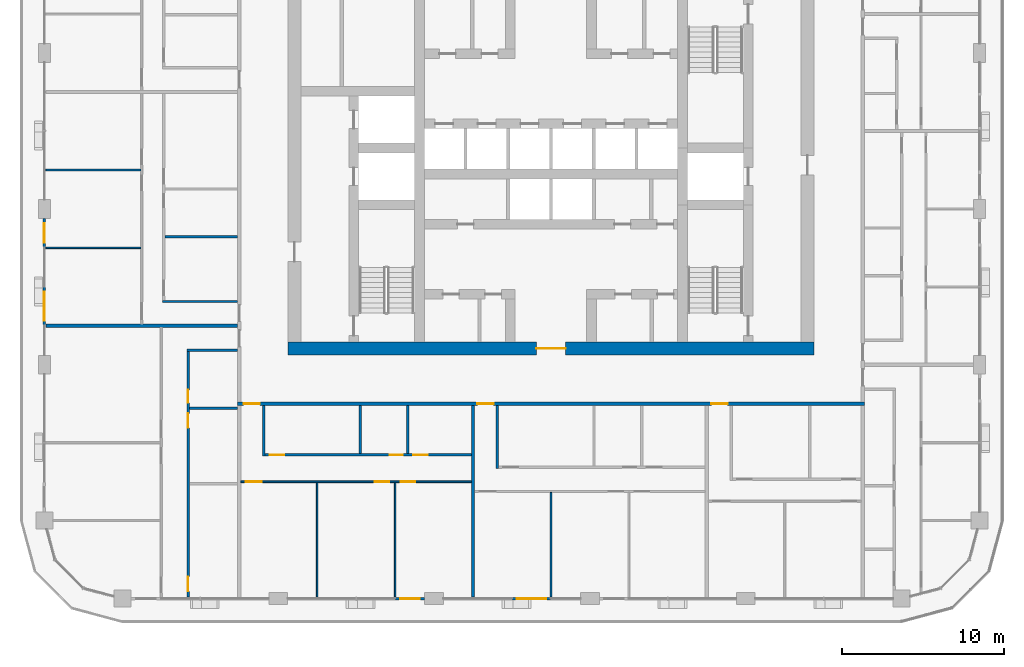
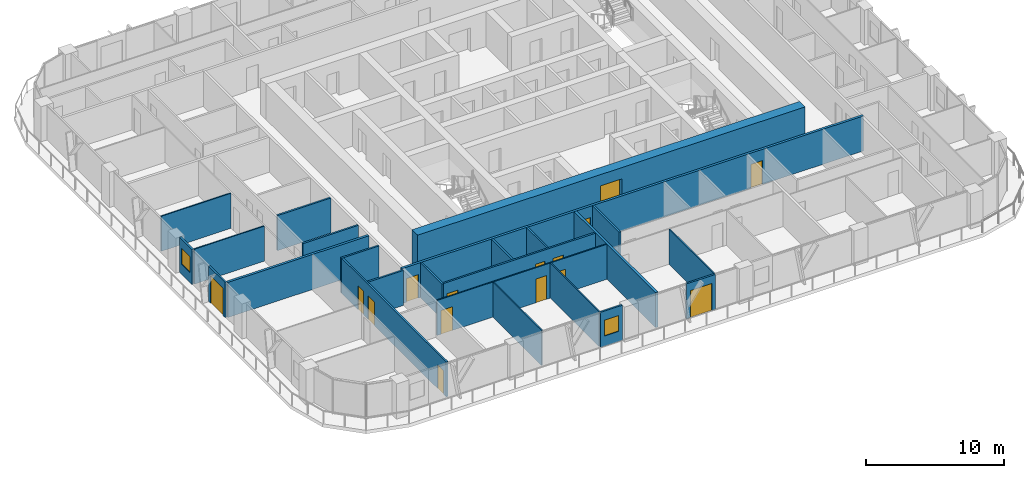
# One storey, part 9 of 22: 24 walls, 15 doors, 2 windows, 17 openings.
"""IFC4 building model written with IfcOpenShell, lengths in metres."""

from ifc_helpers import new_model, si_unit, direction, frame, frame_2d, origin, place, context, subcontext, project, spatial, rectangle, extrude, material, layer, layer_set, type_object, element, fill, save


model = new_model("IFC4")

# Units and contexts
model_context = context("Model", 3, precision=1e-05, world=origin(), true_north=direction((0.0, 1.0)))
body_context = subcontext(model_context, "Body", "Model", "MODEL_VIEW")
ifc_project = project(units=[si_unit("LENGTHUNIT", "METRE"), si_unit("AREAUNIT", "SQUARE_METRE"), si_unit("VOLUMEUNIT", "CUBIC_METRE"), si_unit("PLANEANGLEUNIT", "RADIAN"), si_unit("MASSUNIT", "GRAM", prefix="KILO")], contexts=[model_context])

# Site, building, storey
site_placement = place(None, origin())
site = spatial("IfcSite", under=ifc_project, at=site_placement, CompositionType="ELEMENT")
building_placement = place(site_placement, origin())
building = spatial("IfcBuilding", under=site, at=building_placement, Name="Madar Terraces", CompositionType="ELEMENT")
storey_placement = place(building_placement, frame((0.0, 0.0, 170.0)))
storey = spatial("IfcBuildingStorey", under=building, at=storey_placement, Name="L44", CompositionType="ELEMENT", Elevation=170.0)

# Wall, opening, door
ifc_material_1 = material(Name="Concrete C70/85", Category="concrete")
ifc_layer_1 = layer(ifc_material_1, 0.800048828125)
ifc_layer_set_1 = layer_set([ifc_layer_1], Name="Concrete C70/85 (CRW3 RC wall 800)")
wall_type_1 = type_object("IfcWallType", Name="CRW3 RC wall 800", PredefinedType="SHEAR", material=ifc_layer_set_1)
wall_1_placement = place(storey_placement, frame((15.0, 15.39990234375, 0.0), z_axis=(0.0, 0.0, 1.0), x_axis=(1.0, 0.0, 0.0)))
wall_1 = element("IfcWall", 1, at=wall_1_placement, inside=storey, type_object=wall_type_1, Name="CORE OUTER WALL", PredefinedType="SHEAR", context=body_context, shape_type="SweptSolid", body=[
    extrude(rectangle(XDim=32.39990234375, YDim=0.800048828125, at=frame_2d((16.199951171875, 0.0))), origin(), (0.0, 0.0, 1.0), 3.10009765625),
])
opening_1_placement = place(wall_1_placement, frame((15.300048828125, 0.0, 0.0)))
opening_1 = element("IfcOpeningElement", 2, at=opening_1_placement, cuts=wall_1, Name="Opening KD1", PredefinedType="OPENING", context=body_context, shape_type="SweptSolid", body=[
    extrude(rectangle(XDim=1.800048828125, YDim=2.10009765625, at=frame_2d((0.89990234375, 1.050048828125))), frame((0.0, 0.409912109375, 0.0), z_axis=(0.0, -1.0, 0.0), x_axis=(1.0, 0.0, 0.0)), (0.0, 0.0, 1.0), 0.820068359375),
])
ifc_material_2 = material(Name="Steel door leaf", Category="steel")
door_type_1 = type_object("IfcDoorType", Name="Lobby door pair 1800 x 2100", OperationType="DOUBLE_DOOR_SINGLE_SWING", PredefinedType="DOOR", material=ifc_material_2)
door_1_placement = place(opening_1_placement, frame((1.800048828125, 0.0, 0.0), z_axis=(0.0, 0.0, 1.0), x_axis=(-1.0, 0.0, 0.0)))
door_1 = element("IfcDoor", 3, at=door_1_placement, inside=storey, type_object=door_type_1, Name="LIFT LOBBY DOOR", OperationType="DOUBLE_DOOR_SINGLE_SWING", OverallHeight=2.10009765625, OverallWidth=1.800048828125, PredefinedType="DOOR", context=body_context, shape_type="SweptSolid", body=[
    extrude(rectangle(XDim=1.800048828125, YDim=2.10009765625, at=frame_2d((0.89990234375, 1.050048828125))), frame((0.0, 0.02490234375, 0.0), z_axis=(0.0, -1.0, 0.0), x_axis=(1.0, 0.0, 0.0)), (0.0, 0.0, 1.0), 0.050048828125),
])
fill(opening_1, door_1)

# Wall, opening, window
ifc_material_3 = material(Name="Aluminium composite panel, black, over insulated backing", Category="aluminium")
ifc_layer_2 = layer(ifc_material_3, 0.14990234375)
ifc_layer_set_2 = layer_set([ifc_layer_2], Name="Facade bay panel 150")
wall_type_2 = type_object("IfcWallType", Name="Facade bay panel 150", PredefinedType="SOLIDWALL", material=ifc_layer_set_2)
wall_2_placement = place(storey_placement, frame((21.60009765625, 0.0, 0.0), z_axis=(0.0, 0.0, 1.0), x_axis=(1.0, 0.0, 0.0)))
wall_2 = element("IfcWall", 4, at=wall_2_placement, inside=storey, type_object=wall_type_2, Name="Facade bay panel", PredefinedType="SOLIDWALL", context=body_context, shape_type="SweptSolid", body=[
    extrude(rectangle(XDim=1.824951171875, YDim=0.14990234375, at=frame_2d((0.91259765625, 0.0))), origin(), (0.0, 0.0, 1.0), 3.10009765625),
])
opening_2_placement = place(wall_2_placement, frame((0.3125, 0.0, 0.89990234375)))
opening_2 = element("IfcOpeningElement", 5, at=opening_2_placement, cuts=wall_2, Name="Opening W1", PredefinedType="OPENING", context=body_context, shape_type="SweptSolid", body=[
    extrude(rectangle(XDim=1.199951171875, YDim=1.39990234375, at=frame_2d((0.60009765625, 0.699951171875))), frame((0.0, 0.0849609375, 0.0), z_axis=(0.0, -1.0, 0.0), x_axis=(1.0, 0.0, 0.0)), (0.0, 0.0, 1.0), 0.169921875),
])
ifc_material_4 = material(Name="Glass, clear, with black aluminium frame", Category="aluminium")
window_type = type_object("IfcWindowType", Name="Vent window 1200 x 1400", PartitioningType="SINGLE_PANEL", PredefinedType="WINDOW", material=ifc_material_4)
window_1_placement = place(opening_2_placement, origin())
window_1 = element("IfcWindow", 6, at=window_1_placement, inside=storey, type_object=window_type, Name="Operable vent window", OverallHeight=1.39990234375, OverallWidth=1.199951171875, PartitioningType="SINGLE_PANEL", PredefinedType="WINDOW", context=body_context, shape_type="SweptSolid", body=[
    extrude(rectangle(XDim=1.199951171875, YDim=1.39990234375, at=frame_2d((0.60009765625, 0.699951171875))), frame((0.0, 0.030029296875, 0.0), z_axis=(0.0, -1.0, 0.0), x_axis=(1.0, 0.0, 0.0)), (0.0, 0.0, 1.0), 0.06005859375),
])
fill(opening_2, window_1)

# Wall, opening, door
wall_3_placement = place(storey_placement, frame((28.800048828125, 0.0, 0.0), z_axis=(0.0, 0.0, 1.0), x_axis=(1.0, 0.0, 0.0)))
wall_3 = element("IfcWall", 7, at=wall_3_placement, inside=storey, type_object=wall_type_2, Name="Facade bay panel", PredefinedType="SOLIDWALL", context=body_context, shape_type="SweptSolid", body=[
    extrude(rectangle(XDim=2.39990234375, YDim=0.14990234375, at=frame_2d((1.199951171875, 0.0))), origin(), (0.0, 0.0, 1.0), 3.10009765625),
])
opening_3_placement = place(wall_3_placement, frame((0.300048828125, 0.0, 0.0)))
opening_3 = element("IfcOpeningElement", 8, at=opening_3_placement, cuts=wall_3, Name="Opening ED1", PredefinedType="OPENING", context=body_context, shape_type="SweptSolid", body=[
    extrude(rectangle(XDim=1.800048828125, YDim=2.39990234375, at=frame_2d((0.89990234375, 1.199951171875))), frame((0.0, 0.0849609375, 0.0), z_axis=(0.0, -1.0, 0.0), x_axis=(1.0, 0.0, 0.0)), (0.0, 0.0, 1.0), 0.169921875),
])
ifc_material_5 = material(Name="Glass, clear, with black aluminium frame", Category="aluminium")
door_type_2 = type_object("IfcDoorType", Name="Balcony and terrace sliding door 1800 x 2400", OperationType="SLIDING_TO_LEFT", PredefinedType="DOOR", material=ifc_material_5)
door_2_placement = place(opening_3_placement, origin())
door_2 = element("IfcDoor", 9, at=door_2_placement, inside=storey, type_object=door_type_2, Name="Balcony door", OperationType="SLIDING_TO_LEFT", OverallHeight=2.39990234375, OverallWidth=1.800048828125, PredefinedType="DOOR", context=body_context, shape_type="SweptSolid", body=[
    extrude(rectangle(XDim=1.800048828125, YDim=2.39990234375, at=frame_2d((0.89990234375, 1.199951171875))), frame((0.0, 0.02490234375, 0.0), z_axis=(0.0, -1.0, 0.0), x_axis=(1.0, 0.0, 0.0)), (0.0, 0.0, 1.0), 0.050048828125),
])
fill(opening_3, door_2)

# Wall, opening, window
wall_4_placement = place(storey_placement, frame((0.0, 23.425048828125, 0.0), z_axis=(0.0, 0.0, 1.0), x_axis=(0.0, -1.0, 0.0)))
wall_4 = element("IfcWall", 10, at=wall_4_placement, inside=storey, type_object=wall_type_2, Name="Facade bay panel", PredefinedType="SOLIDWALL", context=body_context, shape_type="SweptSolid", body=[
    extrude(rectangle(XDim=1.824951171875, YDim=0.14990234375, at=frame_2d((0.91259765625, 0.0))), origin(), (0.0, 0.0, 1.0), 3.10009765625),
])
opening_4_placement = place(wall_4_placement, frame((0.3125, 0.0, 0.89990234375)))
opening_4 = element("IfcOpeningElement", 11, at=opening_4_placement, cuts=wall_4, Name="Opening W1", PredefinedType="OPENING", context=body_context, shape_type="SweptSolid", body=[
    extrude(rectangle(XDim=1.199951171875, YDim=1.39990234375, at=frame_2d((0.60009765625, 0.699951171875))), frame((0.0, 0.0849609375, 0.0), z_axis=(0.0, -1.0, 0.0), x_axis=(1.0, 0.0, 0.0)), (0.0, 0.0, 1.0), 0.169921875),
])
window_2_placement = place(opening_4_placement, origin())
window_2 = element("IfcWindow", 12, at=window_2_placement, inside=storey, type_object=window_type, Name="Operable vent window", OverallHeight=1.39990234375, OverallWidth=1.199951171875, PartitioningType="SINGLE_PANEL", PredefinedType="WINDOW", context=body_context, shape_type="SweptSolid", body=[
    extrude(rectangle(XDim=1.199951171875, YDim=1.39990234375, at=frame_2d((0.60009765625, 0.699951171875))), frame((0.0, 0.030029296875, 0.0), z_axis=(0.0, -1.0, 0.0), x_axis=(1.0, 0.0, 0.0)), (0.0, 0.0, 1.0), 0.06005859375),
])
fill(opening_4, window_2)

# Wall, opening, door
wall_5_placement = place(storey_placement, frame((0.0, 19.199951171875, 0.0), z_axis=(0.0, 0.0, 1.0), x_axis=(0.0, -1.0, 0.0)))
wall_5 = element("IfcWall", 13, at=wall_5_placement, inside=storey, type_object=wall_type_2, Name="Facade bay panel", PredefinedType="SOLIDWALL", context=body_context, shape_type="SweptSolid", body=[
    extrude(rectangle(XDim=2.39990234375, YDim=0.14990234375, at=frame_2d((1.199951171875, 0.0))), origin(), (0.0, 0.0, 1.0), 3.10009765625),
])
opening_5_placement = place(wall_5_placement, frame((0.300048828125, 0.0, 0.0)))
opening_5 = element("IfcOpeningElement", 14, at=opening_5_placement, cuts=wall_5, Name="Opening ED1", PredefinedType="OPENING", context=body_context, shape_type="SweptSolid", body=[
    extrude(rectangle(XDim=1.800048828125, YDim=2.39990234375, at=frame_2d((0.89990234375, 1.199951171875))), frame((0.0, 0.0849609375, 0.0), z_axis=(0.0, -1.0, 0.0), x_axis=(1.0, 0.0, 0.0)), (0.0, 0.0, 1.0), 0.169921875),
])
door_3_placement = place(opening_5_placement, origin())
door_3 = element("IfcDoor", 15, at=door_3_placement, inside=storey, type_object=door_type_2, Name="Balcony door", OperationType="SLIDING_TO_LEFT", OverallHeight=2.39990234375, OverallWidth=1.800048828125, PredefinedType="DOOR", context=body_context, shape_type="SweptSolid", body=[
    extrude(rectangle(XDim=1.800048828125, YDim=2.39990234375, at=frame_2d((0.89990234375, 1.199951171875))), frame((0.0, 0.02490234375, 0.0), z_axis=(0.0, -1.0, 0.0), x_axis=(1.0, 0.0, 0.0)), (0.0, 0.0, 1.0), 0.050048828125),
])
fill(opening_5, door_3)

# Walls
ifc_material_6 = material(Name="Gypsum board on steel studs", Category="steel")
ifc_layer_3 = layer(ifc_material_6, 0.10009765625)
ifc_layer_set_3 = layer_set([ifc_layer_3], Name="Flat partition 100")
wall_type_3 = type_object("IfcWallType", Name="Flat partition 100", PredefinedType="PARTITIONING", material=ifc_layer_set_3)
for number, where, z_axis, x_axis, name in (
    (16, (16.800048828125, 7.14990234375, 0.0), (0.0, 0.0, 1.0), (0.0, -1.0, 0.0), "Flat partition 100"),
    (17, (21.60009765625, 7.14990234375, 0.0), (0.0, 0.0, 1.0), (0.0, -1.0, 0.0), "Flat partition 100"),
):
    element("IfcWall", number, at=place(storey_placement, frame(where, z_axis=z_axis, x_axis=x_axis)), inside=storey, type_object=wall_type_3, Name=name, PredefinedType="PARTITIONING", context=body_context, shape_type="SweptSolid", body=[
        extrude(rectangle(XDim=7.0498046875, YDim=0.10009765625, at=frame_2d((3.52490234375, 0.0))), origin(), (0.0, 0.0, 1.0), 3.10009765625),
    ])

# Wall, openings, doors
wall_6_placement = place(storey_placement, frame((26.300048828125, 7.199951171875, 0.0), z_axis=(0.0, 0.0, 1.0), x_axis=(-1.0, 0.0, 0.0)))
wall_6 = element("IfcWall", 18, at=wall_6_placement, inside=storey, type_object=wall_type_3, Name="Flat partition 100", PredefinedType="PARTITIONING", context=body_context, shape_type="SweptSolid", body=[
    extrude(rectangle(XDim=14.199951171875, YDim=0.10009765625, at=frame_2d((7.10009765625, 0.0))), origin(), (0.0, 0.0, 1.0), 3.10009765625),
])
opening_6_placement = place(wall_6_placement, frame((12.89990234375, 0.0, 0.0)))
opening_6 = element("IfcOpeningElement", 19, at=opening_6_placement, cuts=wall_6, Name="Opening D3", PredefinedType="OPENING", context=body_context, shape_type="SweptSolid", body=[
    extrude(rectangle(XDim=1.0, YDim=2.10009765625, at=frame_2d((0.5, 1.050048828125))), frame((0.0, 0.06005859375, 0.0), z_axis=(0.0, -1.0, 0.0), x_axis=(1.0, 0.0, 0.0)), (0.0, 0.0, 1.0), 0.1201171875),
])
opening_7_placement = place(wall_6_placement, frame((5.050048828125, 0.0, 0.0)))
opening_7 = element("IfcOpeningElement", 20, at=opening_7_placement, cuts=wall_6, Name="Opening D2", PredefinedType="OPENING", context=body_context, shape_type="SweptSolid", body=[
    extrude(rectangle(XDim=0.89990234375, YDim=2.10009765625, at=frame_2d((0.449951171875, 1.050048828125))), frame((0.0, 0.06005859375, 0.0), z_axis=(0.0, -1.0, 0.0), x_axis=(1.0, 0.0, 0.0)), (0.0, 0.0, 1.0), 0.1201171875),
])
opening_8_placement = place(wall_6_placement, frame((3.449951171875, 0.0, 0.0)))
opening_8 = element("IfcOpeningElement", 21, at=opening_8_placement, cuts=wall_6, Name="Opening D2", PredefinedType="OPENING", context=body_context, shape_type="SweptSolid", body=[
    extrude(rectangle(XDim=0.89990234375, YDim=2.10009765625, at=frame_2d((0.449951171875, 1.050048828125))), frame((0.0, 0.06005859375, 0.0), z_axis=(0.0, -1.0, 0.0), x_axis=(1.0, 0.0, 0.0)), (0.0, 0.0, 1.0), 0.1201171875),
])
ifc_material_7 = material(Name="Timber door leaf", Category="wood")
door_type_3 = type_object("IfcDoorType", Name="Flat living room door 1000", OperationType="NOTDEFINED", PredefinedType="DOOR", material=ifc_material_7)
door_4_placement = place(opening_6_placement, origin())
door_4 = element("IfcDoor", 22, at=door_4_placement, inside=storey, type_object=door_type_3, Name="Flat living room door 1000", OperationType="SINGLE_SWING_RIGHT", OverallHeight=2.10009765625, OverallWidth=1.0, PredefinedType="DOOR", context=body_context, shape_type="SweptSolid", body=[
    extrude(rectangle(XDim=1.0, YDim=2.10009765625, at=frame_2d((0.5, 1.050048828125))), frame((0.0, 0.02490234375, 0.0), z_axis=(0.0, -1.0, 0.0), x_axis=(1.0, 0.0, 0.0)), (0.0, 0.0, 1.0), 0.050048828125),
])
fill(opening_6, door_4)
ifc_material_8 = material(Name="Timber door leaf", Category="wood")
door_type_4 = type_object("IfcDoorType", Name="Flat room door 900", OperationType="NOTDEFINED", PredefinedType="DOOR", material=ifc_material_8)
door_5_placement = place(opening_7_placement, origin())
door_5 = element("IfcDoor", 23, at=door_5_placement, inside=storey, type_object=door_type_4, Name="Flat room door 900", OperationType="SINGLE_SWING_LEFT", OverallHeight=2.10009765625, OverallWidth=0.89990234375, PredefinedType="DOOR", context=body_context, shape_type="SweptSolid", body=[
    extrude(rectangle(XDim=0.89990234375, YDim=2.10009765625, at=frame_2d((0.449951171875, 1.050048828125))), frame((0.0, 0.02490234375, 0.0), z_axis=(0.0, -1.0, 0.0), x_axis=(1.0, 0.0, 0.0)), (0.0, 0.0, 1.0), 0.050048828125),
])
fill(opening_7, door_5)
door_6_placement = place(opening_8_placement, origin())
door_6 = element("IfcDoor", 24, at=door_6_placement, inside=storey, type_object=door_type_4, Name="Flat room door 900", OperationType="SINGLE_SWING_RIGHT", OverallHeight=2.10009765625, OverallWidth=0.89990234375, PredefinedType="DOOR", context=body_context, shape_type="SweptSolid", body=[
    extrude(rectangle(XDim=0.89990234375, YDim=2.10009765625, at=frame_2d((0.449951171875, 1.050048828125))), frame((0.0, 0.02490234375, 0.0), z_axis=(0.0, -1.0, 0.0), x_axis=(1.0, 0.0, 0.0)), (0.0, 0.0, 1.0), 0.050048828125),
])
fill(opening_8, door_6)

# Walls
wall_7_placement = place(storey_placement, frame((31.199951171875, 6.550048828125, 0.0), z_axis=(0.0, 0.0, 1.0), x_axis=(0.0, -1.0, 0.0)))
element("IfcWall", 25, at=wall_7_placement, inside=storey, type_object=wall_type_3, Name="Flat partition 100", PredefinedType="PARTITIONING", context=body_context, shape_type="SweptSolid", body=[
    extrude(rectangle(XDim=6.449951171875, YDim=0.10009765625, at=frame_2d((3.22509765625, 0.0))), origin(), (0.0, 0.0, 1.0), 3.10009765625),
])
for number, where, z_axis, x_axis, name in (
    (26, (5.949951171875, 21.60009765625, 0.0), (0.0, 0.0, 1.0), (-1.0, 0.0, 0.0), "Flat partition 100"),
    (27, (5.949951171875, 26.39990234375, 0.0), (0.0, 0.0, 1.0), (-1.0, 0.0, 0.0), "Flat partition 100"),
):
    element("IfcWall", number, at=place(storey_placement, frame(where, z_axis=z_axis, x_axis=x_axis)), inside=storey, type_object=wall_type_3, Name=name, PredefinedType="PARTITIONING", context=body_context, shape_type="SweptSolid", body=[
        extrude(rectangle(XDim=5.849853515625, YDim=0.10009765625, at=frame_2d((2.9248046875, 0.0))), origin(), (0.0, 0.0, 1.0), 3.10009765625),
    ])

# Wall, openings, doors
ifc_material_9 = material(Name="Lightweight blockwork", Category="masonry")
ifc_layer_4 = layer(ifc_material_9, 0.199951171875)
ifc_layer_set_4 = layer_set([ifc_layer_4], Name="Flat party and entrance wall 200")
wall_type_4 = type_object("IfcWallType", Name="Flat party and entrance wall 200", PredefinedType="PARTITIONING", material=ifc_layer_set_4)
wall_8_placement = place(storey_placement, frame((50.5, 12.0, 0.0), z_axis=(0.0, 0.0, 1.0), x_axis=(-1.0, 0.0, 0.0)))
wall_8 = element("IfcWall", 28, at=wall_8_placement, inside=storey, type_object=wall_type_4, Name="Flat party and entrance wall 200", PredefinedType="PARTITIONING", context=body_context, shape_type="SweptSolid", body=[
    extrude(rectangle(XDim=38.60009765625, YDim=0.199951171875, at=frame_2d((19.300048828125, 0.0))), origin(), (0.0, 0.0, 1.0), 3.10009765625),
])
opening_9_placement = place(wall_8_placement, frame((37.22509765625, 0.0, 0.0)))
opening_9 = element("IfcOpeningElement", 29, at=opening_9_placement, cuts=wall_8, Name="Opening D1", PredefinedType="OPENING", context=body_context, shape_type="SweptSolid", body=[
    extrude(rectangle(XDim=1.0, YDim=2.10009765625, at=frame_2d((0.5, 1.050048828125))), frame((0.0, 0.10986328125, 0.0), z_axis=(0.0, -1.0, 0.0), x_axis=(1.0, 0.0, 0.0)), (0.0, 0.0, 1.0), 0.219970703125),
])
opening_10_placement = place(wall_8_placement, frame((22.824951171875, 0.0, 0.0)))
opening_10 = element("IfcOpeningElement", 30, at=opening_10_placement, cuts=wall_8, Name="Opening D1", PredefinedType="OPENING", context=body_context, shape_type="SweptSolid", body=[
    extrude(rectangle(XDim=1.0, YDim=2.10009765625, at=frame_2d((0.5, 1.050048828125))), frame((0.0, 0.10986328125, 0.0), z_axis=(0.0, -1.0, 0.0), x_axis=(1.0, 0.0, 0.0)), (0.0, 0.0, 1.0), 0.219970703125),
])
opening_11_placement = place(wall_8_placement, frame((8.425048828125, 0.0, 0.0)))
opening_11 = element("IfcOpeningElement", 31, at=opening_11_placement, cuts=wall_8, Name="Opening D1", PredefinedType="OPENING", context=body_context, shape_type="SweptSolid", body=[
    extrude(rectangle(XDim=1.0, YDim=2.10009765625, at=frame_2d((0.5, 1.050048828125))), frame((0.0, 0.10986328125, 0.0), z_axis=(0.0, -1.0, 0.0), x_axis=(1.0, 0.0, 0.0)), (0.0, 0.0, 1.0), 0.219970703125),
])
ifc_material_10 = material(Name="Timber fire door leaf", Category="wood")
door_type_5 = type_object("IfcDoorType", Name="Flat entrance door 1000 FD30S", OperationType="NOTDEFINED", PredefinedType="DOOR", material=ifc_material_10)
door_7_placement = place(opening_9_placement, origin())
door_7 = element("IfcDoor", 32, at=door_7_placement, inside=storey, type_object=door_type_5, Name="Flat entrance door 1000 FD30S", OperationType="SINGLE_SWING_RIGHT", OverallHeight=2.10009765625, OverallWidth=1.0, PredefinedType="DOOR", context=body_context, shape_type="SweptSolid", body=[
    extrude(rectangle(XDim=1.0, YDim=2.10009765625, at=frame_2d((0.5, 1.050048828125))), frame((0.0, 0.02490234375, 0.0), z_axis=(0.0, -1.0, 0.0), x_axis=(1.0, 0.0, 0.0)), (0.0, 0.0, 1.0), 0.050048828125),
])
fill(opening_9, door_7)
door_8_placement = place(opening_10_placement, origin())
door_8 = element("IfcDoor", 33, at=door_8_placement, inside=storey, type_object=door_type_5, Name="Flat entrance door 1000 FD30S", OperationType="SINGLE_SWING_RIGHT", OverallHeight=2.10009765625, OverallWidth=1.0, PredefinedType="DOOR", context=body_context, shape_type="SweptSolid", body=[
    extrude(rectangle(XDim=1.0, YDim=2.10009765625, at=frame_2d((0.5, 1.050048828125))), frame((0.0, 0.02490234375, 0.0), z_axis=(0.0, -1.0, 0.0), x_axis=(1.0, 0.0, 0.0)), (0.0, 0.0, 1.0), 0.050048828125),
])
fill(opening_10, door_8)
door_9_placement = place(opening_11_placement, origin())
door_9 = element("IfcDoor", 34, at=door_9_placement, inside=storey, type_object=door_type_5, Name="Flat entrance door 1000 FD30S", OperationType="SINGLE_SWING_RIGHT", OverallHeight=2.10009765625, OverallWidth=1.0, PredefinedType="DOOR", context=body_context, shape_type="SweptSolid", body=[
    extrude(rectangle(XDim=1.0, YDim=2.10009765625, at=frame_2d((0.5, 1.050048828125))), frame((0.0, 0.02490234375, 0.0), z_axis=(0.0, -1.0, 0.0), x_axis=(1.0, 0.0, 0.0)), (0.0, 0.0, 1.0), 0.050048828125),
])
fill(opening_11, door_9)

# Walls
for number, where, z_axis, x_axis, name in (
    (35, (26.39990234375, 11.89990234375, 0.0), (0.0, 0.0, 1.0), (0.0, -1.0, 0.0), "Flat party and entrance wall 200"),
    (36, (0.10009765625, 16.800048828125, 0.0), (0.0, 0.0, 1.0), (1.0, 0.0, 0.0), "Flat party and entrance wall 200"),
):
    element("IfcWall", number, at=place(storey_placement, frame(where, z_axis=z_axis, x_axis=x_axis)), inside=storey, type_object=wall_type_4, Name=name, PredefinedType="PARTITIONING", context=body_context, shape_type="SweptSolid", body=[
        extrude(rectangle(XDim=11.7998046875, YDim=0.199951171875, at=frame_2d((5.89990234375, 0.0))), origin(), (0.0, 0.0, 1.0), 3.10009765625),
    ])
ifc_material_11 = material(Name="Lightweight blockwork", Category="masonry")
ifc_layer_5 = layer(ifc_material_11, 0.14990234375)
ifc_layer_set_5 = layer_set([ifc_layer_5], Name="Flat wet-room partition 150")
wall_type_5 = type_object("IfcWallType", Name="Flat wet-room partition 150", PredefinedType="PARTITIONING", material=ifc_layer_set_5)
for number, where, z_axis, x_axis, name in (
    (37, (19.447998046875, 11.89990234375, 0.0), (0.0, 0.0, 1.0), (0.0, -1.0, 0.0), "Flat wet-room partition 150"),
    (38, (22.384521484375, 11.89990234375, 0.0), (0.0, 0.0, 1.0), (0.0, -1.0, 0.0), "Flat wet-room partition 150"),
):
    element("IfcWall", number, at=place(storey_placement, frame(where, z_axis=z_axis, x_axis=x_axis)), inside=storey, type_object=wall_type_5, Name=name, PredefinedType="PARTITIONING", context=body_context, shape_type="SweptSolid", body=[
        extrude(rectangle(XDim=2.974853515625, YDim=0.14990234375, at=frame_2d((1.4873046875, 0.0))), origin(), (0.0, 0.0, 1.0), 3.10009765625),
    ])
wall_9_placement = place(storey_placement, frame((13.5, 11.89990234375, 0.0), z_axis=(0.0, 0.0, 1.0), x_axis=(0.0, -1.0, 0.0)))
element("IfcWall", 39, at=wall_9_placement, inside=storey, type_object=wall_type_5, Name="Flat wet-room partition 150", PredefinedType="PARTITIONING", context=body_context, shape_type="SweptSolid", body=[
    extrude(rectangle(XDim=3.125, YDim=0.14990234375, at=frame_2d((1.5625, 0.0))), origin(), (0.0, 0.0, 1.0), 3.10009765625),
])

# Wall, openings, doors
wall_10_placement = place(storey_placement, frame((13.574951171875, 8.85009765625, 0.0), z_axis=(0.0, 0.0, 1.0), x_axis=(1.0, 0.0, 0.0)))
wall_10 = element("IfcWall", 40, at=wall_10_placement, inside=storey, type_object=wall_type_5, Name="Flat wet-room partition 150", PredefinedType="PARTITIONING", context=body_context, shape_type="SweptSolid", body=[
    extrude(rectangle(XDim=12.72509765625, YDim=0.14990234375, at=frame_2d((6.362548828125, 0.0))), origin(), (0.0, 0.0, 1.0), 3.10009765625),
])
opening_12_placement = place(wall_10_placement, frame((0.300048828125, 0.0, 0.0)))
opening_12 = element("IfcOpeningElement", 41, at=opening_12_placement, cuts=wall_10, Name="Opening D2", PredefinedType="OPENING", context=body_context, shape_type="SweptSolid", body=[
    extrude(rectangle(XDim=0.89990234375, YDim=2.10009765625, at=frame_2d((0.449951171875, 1.050048828125))), frame((0.0, 0.0849609375, 0.0), z_axis=(0.0, -1.0, 0.0), x_axis=(1.0, 0.0, 0.0)), (0.0, 0.0, 1.0), 0.169921875),
])
opening_13_placement = place(wall_10_placement, frame((7.6845703125, 0.0, 0.0)))
opening_13 = element("IfcOpeningElement", 42, at=opening_13_placement, cuts=wall_10, Name="Opening D4", PredefinedType="OPENING", context=body_context, shape_type="SweptSolid", body=[
    extrude(rectangle(XDim=0.800048828125, YDim=2.10009765625, at=frame_2d((0.39990234375, 1.050048828125))), frame((0.0, 0.0849609375, 0.0), z_axis=(0.0, -1.0, 0.0), x_axis=(1.0, 0.0, 0.0)), (0.0, 0.0, 1.0), 0.169921875),
])
opening_14_placement = place(wall_10_placement, frame((9.134521484375, 0.0, 0.0)))
opening_14 = element("IfcOpeningElement", 43, at=opening_14_placement, cuts=wall_10, Name="Opening D5", PredefinedType="OPENING", context=body_context, shape_type="SweptSolid", body=[
    extrude(rectangle(XDim=0.89990234375, YDim=2.10009765625, at=frame_2d((0.449951171875, 1.050048828125))), frame((0.0, 0.0849609375, 0.0), z_axis=(0.0, -1.0, 0.0), x_axis=(1.0, 0.0, 0.0)), (0.0, 0.0, 1.0), 0.169921875),
])
ifc_material_12 = material(Name="Timber door leaf", Category="wood")
door_type_6 = type_object("IfcDoorType", Name="Flat accessible bathroom door 900", OperationType="NOTDEFINED", PredefinedType="DOOR", material=ifc_material_12)
door_10_placement = place(opening_14_placement, origin())
door_10 = element("IfcDoor", 44, at=door_10_placement, inside=storey, type_object=door_type_6, Name="Flat accessible bathroom door 900", OperationType="SINGLE_SWING_LEFT", OverallHeight=2.10009765625, OverallWidth=0.89990234375, PredefinedType="DOOR", context=body_context, shape_type="SweptSolid", body=[
    extrude(rectangle(XDim=0.89990234375, YDim=2.10009765625, at=frame_2d((0.449951171875, 1.050048828125))), frame((0.0, 0.02490234375, 0.0), z_axis=(0.0, -1.0, 0.0), x_axis=(1.0, 0.0, 0.0)), (0.0, 0.0, 1.0), 0.050048828125),
])
fill(opening_14, door_10)
ifc_material_13 = material(Name="Timber door leaf", Category="wood")
door_type_7 = type_object("IfcDoorType", Name="Flat bathroom door 800", OperationType="NOTDEFINED", PredefinedType="DOOR", material=ifc_material_13)
door_11_placement = place(opening_13_placement, origin())
door_11 = element("IfcDoor", 45, at=door_11_placement, inside=storey, type_object=door_type_7, Name="Flat bathroom door 800", OperationType="SINGLE_SWING_RIGHT", OverallHeight=2.10009765625, OverallWidth=0.800048828125, PredefinedType="DOOR", context=body_context, shape_type="SweptSolid", body=[
    extrude(rectangle(XDim=0.800048828125, YDim=2.10009765625, at=frame_2d((0.39990234375, 1.050048828125))), frame((0.0, 0.02490234375, 0.0), z_axis=(0.0, -1.0, 0.0), x_axis=(1.0, 0.0, 0.0)), (0.0, 0.0, 1.0), 0.050048828125),
])
fill(opening_13, door_11)
door_12_placement = place(opening_12_placement, origin())
door_12 = element("IfcDoor", 46, at=door_12_placement, inside=storey, type_object=door_type_4, Name="Flat room door 900", OperationType="SINGLE_SWING_LEFT", OverallHeight=2.10009765625, OverallWidth=0.89990234375, PredefinedType="DOOR", context=body_context, shape_type="SweptSolid", body=[
    extrude(rectangle(XDim=0.89990234375, YDim=2.10009765625, at=frame_2d((0.449951171875, 1.050048828125))), frame((0.0, 0.02490234375, 0.0), z_axis=(0.0, -1.0, 0.0), x_axis=(1.0, 0.0, 0.0)), (0.0, 0.0, 1.0), 0.050048828125),
])
fill(opening_12, door_12)

# Walls
wall_11_placement = place(storey_placement, frame((27.89990234375, 11.89990234375, 0.0), z_axis=(0.0, 0.0, 1.0), x_axis=(0.0, -1.0, 0.0)))
element("IfcWall", 47, at=wall_11_placement, inside=storey, type_object=wall_type_5, Name="Flat wet-room partition 150", PredefinedType="PARTITIONING", context=body_context, shape_type="SweptSolid", body=[
    extrude(rectangle(XDim=3.875, YDim=0.14990234375, at=frame_2d((1.9375, 0.0))), origin(), (0.0, 0.0, 1.0), 3.10009765625),
])
wall_12_placement = place(storey_placement, frame((11.89990234375, 22.290283203125, 0.0), z_axis=(0.0, 0.0, 1.0), x_axis=(-1.0, 0.0, 0.0)))
element("IfcWall", 48, at=wall_12_placement, inside=storey, type_object=wall_type_5, Name="Flat wet-room partition 150", PredefinedType="PARTITIONING", context=body_context, shape_type="SweptSolid", body=[
    extrude(rectangle(XDim=4.474853515625, YDim=0.14990234375, at=frame_2d((2.2373046875, 0.0))), origin(), (0.0, 0.0, 1.0), 3.10009765625),
])
wall_13_placement = place(storey_placement, frame((11.89990234375, 18.300048828125, 0.0), z_axis=(0.0, 0.0, 1.0), x_axis=(-1.0, 0.0, 0.0)))
element("IfcWall", 49, at=wall_13_placement, inside=storey, type_object=wall_type_5, Name="Flat wet-room partition 150", PredefinedType="PARTITIONING", context=body_context, shape_type="SweptSolid", body=[
    extrude(rectangle(XDim=4.625, YDim=0.14990234375, at=frame_2d((2.3125, 0.0))), origin(), (0.0, 0.0, 1.0), 3.10009765625),
])
wall_14_placement = place(storey_placement, frame((11.89990234375, 11.734619140625, 0.0), z_axis=(0.0, 0.0, 1.0), x_axis=(-1.0, 0.0, 0.0)))
element("IfcWall", 50, at=wall_14_placement, inside=storey, type_object=wall_type_5, Name="Flat wet-room partition 150", PredefinedType="PARTITIONING", context=body_context, shape_type="SweptSolid", body=[
    extrude(rectangle(XDim=2.974853515625, YDim=0.14990234375, at=frame_2d((1.4873046875, 0.0))), origin(), (0.0, 0.0, 1.0), 3.10009765625),
])
wall_15_placement = place(storey_placement, frame((11.89990234375, 15.300048828125, 0.0), z_axis=(0.0, 0.0, 1.0), x_axis=(-1.0, 0.0, 0.0)))
element("IfcWall", 51, at=wall_15_placement, inside=storey, type_object=wall_type_5, Name="Flat wet-room partition 150", PredefinedType="PARTITIONING", context=body_context, shape_type="SweptSolid", body=[
    extrude(rectangle(XDim=3.125, YDim=0.14990234375, at=frame_2d((1.5625, 0.0))), origin(), (0.0, 0.0, 1.0), 3.10009765625),
])

# Wall, openings, doors
wall_16_placement = place(storey_placement, frame((8.85009765625, 15.22509765625, 0.0), z_axis=(0.0, 0.0, 1.0), x_axis=(0.0, -1.0, 0.0)))
wall_16 = element("IfcWall", 52, at=wall_16_placement, inside=storey, type_object=wall_type_5, Name="Flat wet-room partition 150", PredefinedType="PARTITIONING", context=body_context, shape_type="SweptSolid", body=[
    extrude(rectangle(XDim=15.125, YDim=0.14990234375, at=frame_2d((7.5625, 0.0))), origin(), (0.0, 0.0, 1.0), 3.10009765625),
])
opening_15_placement = place(wall_16_placement, frame((2.365478515625, 0.0, 0.0)))
opening_15 = element("IfcOpeningElement", 53, at=opening_15_placement, cuts=wall_16, Name="Opening D4", PredefinedType="OPENING", context=body_context, shape_type="SweptSolid", body=[
    extrude(rectangle(XDim=0.800048828125, YDim=2.10009765625, at=frame_2d((0.39990234375, 1.050048828125))), frame((0.0, 0.0849609375, 0.0), z_axis=(0.0, -1.0, 0.0), x_axis=(1.0, 0.0, 0.0)), (0.0, 0.0, 1.0), 0.169921875),
])
opening_16_placement = place(wall_16_placement, frame((3.8154296875, 0.0, 0.0)))
opening_16 = element("IfcOpeningElement", 54, at=opening_16_placement, cuts=wall_16, Name="Opening D5", PredefinedType="OPENING", context=body_context, shape_type="SweptSolid", body=[
    extrude(rectangle(XDim=0.89990234375, YDim=2.10009765625, at=frame_2d((0.449951171875, 1.050048828125))), frame((0.0, 0.0849609375, 0.0), z_axis=(0.0, -1.0, 0.0), x_axis=(1.0, 0.0, 0.0)), (0.0, 0.0, 1.0), 0.169921875),
])
opening_17_placement = place(wall_16_placement, frame((13.875, 0.0, 0.0)))
opening_17 = element("IfcOpeningElement", 55, at=opening_17_placement, cuts=wall_16, Name="Opening D2", PredefinedType="OPENING", context=body_context, shape_type="SweptSolid", body=[
    extrude(rectangle(XDim=0.89990234375, YDim=2.10009765625, at=frame_2d((0.449951171875, 1.050048828125))), frame((0.0, 0.0849609375, 0.0), z_axis=(0.0, -1.0, 0.0), x_axis=(1.0, 0.0, 0.0)), (0.0, 0.0, 1.0), 0.169921875),
])
door_13_placement = place(opening_16_placement, origin())
door_13 = element("IfcDoor", 56, at=door_13_placement, inside=storey, type_object=door_type_6, Name="Flat accessible bathroom door 900", OperationType="SINGLE_SWING_LEFT", OverallHeight=2.10009765625, OverallWidth=0.89990234375, PredefinedType="DOOR", context=body_context, shape_type="SweptSolid", body=[
    extrude(rectangle(XDim=0.89990234375, YDim=2.10009765625, at=frame_2d((0.449951171875, 1.050048828125))), frame((0.0, 0.02490234375, 0.0), z_axis=(0.0, -1.0, 0.0), x_axis=(1.0, 0.0, 0.0)), (0.0, 0.0, 1.0), 0.050048828125),
])
fill(opening_16, door_13)
door_14_placement = place(opening_15_placement, origin())
door_14 = element("IfcDoor", 57, at=door_14_placement, inside=storey, type_object=door_type_7, Name="Flat bathroom door 800", OperationType="SINGLE_SWING_RIGHT", OverallHeight=2.10009765625, OverallWidth=0.800048828125, PredefinedType="DOOR", context=body_context, shape_type="SweptSolid", body=[
    extrude(rectangle(XDim=0.800048828125, YDim=2.10009765625, at=frame_2d((0.39990234375, 1.050048828125))), frame((0.0, 0.02490234375, 0.0), z_axis=(0.0, -1.0, 0.0), x_axis=(1.0, 0.0, 0.0)), (0.0, 0.0, 1.0), 0.050048828125),
])
fill(opening_15, door_14)
door_15_placement = place(opening_17_placement, origin())
door_15 = element("IfcDoor", 58, at=door_15_placement, inside=storey, type_object=door_type_4, Name="Flat room door 900", OperationType="SINGLE_SWING_RIGHT", OverallHeight=2.10009765625, OverallWidth=0.89990234375, PredefinedType="DOOR", context=body_context, shape_type="SweptSolid", body=[
    extrude(rectangle(XDim=0.89990234375, YDim=2.10009765625, at=frame_2d((0.449951171875, 1.050048828125))), frame((0.0, 0.02490234375, 0.0), z_axis=(0.0, -1.0, 0.0), x_axis=(1.0, 0.0, 0.0)), (0.0, 0.0, 1.0), 0.050048828125),
])
fill(opening_17, door_15)

save(model, "model.ifc")
